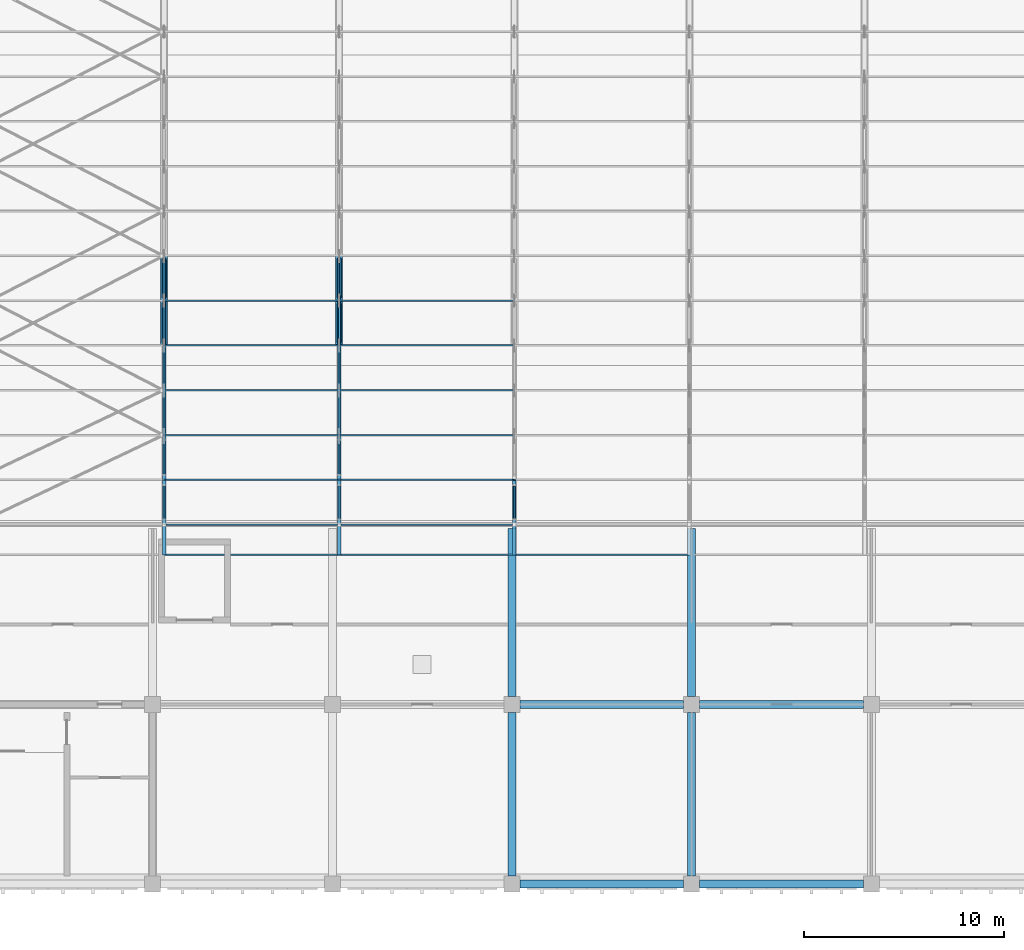
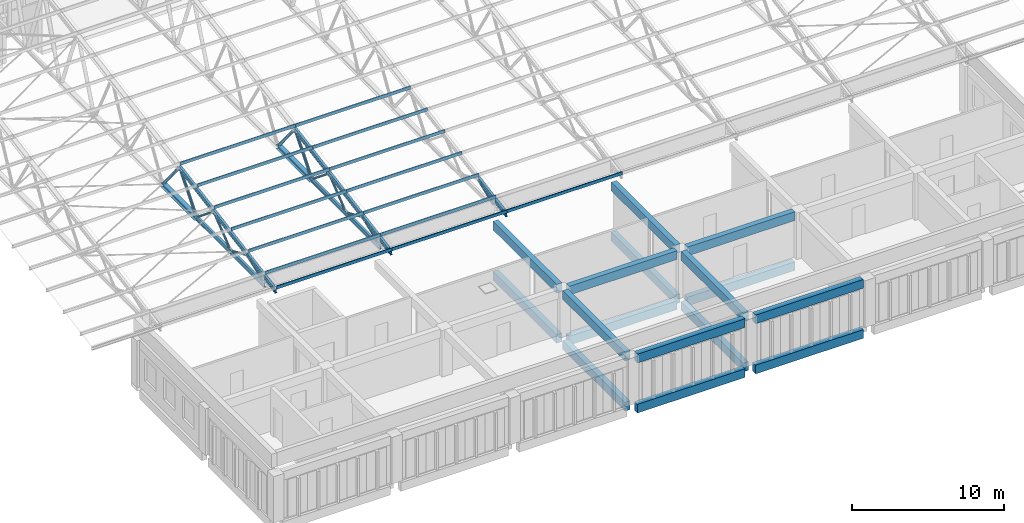
# One storey, part 48 of 185: 44 members, 16 beams.
"""IFC4 building model written with IfcOpenShell, lengths in metres."""

from ifc_helpers import new_model, si_unit, direction, frame, origin, origin_2d, place, context, subcontext, project, spatial, polyline, rectangle, hollow_circle, i_section, outline, extrude, material, material_profile, profile_set, type_object, element, save


model = new_model("IFC4")

# Units and contexts
model_context = context("Model", 3, precision=1e-05, world=origin(), true_north=direction((0.0, 1.0)))
body_context = subcontext(model_context, "Body", "Model", "MODEL_VIEW")
ifc_project = project(units=[si_unit("LENGTHUNIT", "METRE"), si_unit("AREAUNIT", "SQUARE_METRE"), si_unit("VOLUMEUNIT", "CUBIC_METRE"), si_unit("PLANEANGLEUNIT", "RADIAN"), si_unit("MASSUNIT", "GRAM", prefix="KILO")], contexts=[model_context])

# Site, building, storey
site_placement = place(None, origin())
site = spatial("IfcSite", under=ifc_project, at=site_placement, CompositionType="ELEMENT")
building_placement = place(site_placement, origin())
building = spatial("IfcBuilding", under=site, at=building_placement, Name="Opaline Strait Convention Centre", CompositionType="ELEMENT")
storey_placement = place(building_placement, frame((0.0, 0.0, 6.0)))
storey = spatial("IfcBuildingStorey", under=building, at=storey_placement, Name="L01", CompositionType="ELEMENT", Elevation=6.0)

# Beams
ifc_material_1 = material(Name="Concrete C35", Category="concrete")
ifc_material_profile_1 = material_profile(ifc_material_1, rectangle(XDim=0.39990234375, YDim=0.699951171875, at=origin_2d()), Name="RC 400x700")
ifc_profile_set_1 = profile_set([ifc_material_profile_1], Name="Concrete C35")
beam_type = type_object("IfcBeamType", Name="RC girder 400x700 C35", PredefinedType="BEAM", material=ifc_profile_set_1)
for number, where, z_axis, x_axis, name in (
    (1, (315.39990234375, 9.0, -0.6298828125), (1.0, 0.0, 0.0), (0.0, 1.0, 0.0), "BB1 girder 36/B-37/B F"),
    (2, (324.39990234375, 9.0, -0.6298828125), (1.0, 0.0, 0.0), (0.0, 1.0, 0.0), "BB1 girder 37/B-38/B F"),
    (3, (315.39990234375, 18.0, -0.6298828125), (1.0, 0.0, 0.0), (0.0, 1.0, 0.0), "BB1 girder 36/C-37/C F"),
    (4, (324.39990234375, 18.0, -0.6298828125), (1.0, 0.0, 0.0), (0.0, 1.0, 0.0), "BB1 girder 37/C-38/C F"),
    (5, (315.0, 9.39990234375, -0.6298828125), (0.0, 1.0, 0.0), (-1.0, 0.0, 0.0), "BB1 girder 36/B-36/C F"),
):
    element("IfcBeam", number, at=place(storey_placement, frame(where, z_axis=z_axis, x_axis=x_axis)), inside=storey, type_object=beam_type, Name=name, PredefinedType="BEAM", context=body_context, shape_type="SweptSolid", body=[
        extrude(rectangle(XDim=0.39990234375, YDim=0.699951171875, at=origin_2d()), origin(), (0.0, 0.0, 1.0), 8.2001953125),
    ])
beam_1_placement = place(storey_placement, frame((315.0, 18.39990234375, -0.6298828125), z_axis=(0.0, 1.0, 0.0), x_axis=(-1.0, 0.0, 0.0)))
element("IfcBeam", 6, at=beam_1_placement, inside=storey, type_object=beam_type, Name="BB1 girder 36/C-36/D F", PredefinedType="BEAM", context=body_context, shape_type="SweptSolid", body=[
    extrude(rectangle(XDim=0.39990234375, YDim=0.699951171875, at=origin_2d()), origin(), (0.0, 0.0, 1.0), 8.400146484375),
])
beam_2_placement = place(storey_placement, frame((324.0, 9.39990234375, -0.6298828125), z_axis=(0.0, 1.0, 0.0), x_axis=(-1.0, 0.0, 0.0)))
element("IfcBeam", 7, at=beam_2_placement, inside=storey, type_object=beam_type, Name="BB1 girder 37/B-37/C F", PredefinedType="BEAM", context=body_context, shape_type="SweptSolid", body=[
    extrude(rectangle(XDim=0.39990234375, YDim=0.699951171875, at=origin_2d()), origin(), (0.0, 0.0, 1.0), 8.2001953125),
])
beam_3_placement = place(storey_placement, frame((324.0, 18.39990234375, -0.6298828125), z_axis=(0.0, 1.0, 0.0), x_axis=(-1.0, 0.0, 0.0)))
element("IfcBeam", 8, at=beam_3_placement, inside=storey, type_object=beam_type, Name="BB1 girder 37/C-37/D F", PredefinedType="BEAM", context=body_context, shape_type="SweptSolid", body=[
    extrude(rectangle(XDim=0.39990234375, YDim=0.699951171875, at=origin_2d()), origin(), (0.0, 0.0, 1.0), 8.400146484375),
])
for number, where, z_axis, x_axis, name in (
    (9, (315.39990234375, 9.0, 3.39990234375), (1.0, 0.0, 0.0), (0.0, 1.0, 0.0), "BB1 girder 36/B-37/B R"),
    (10, (324.39990234375, 9.0, 3.39990234375), (1.0, 0.0, 0.0), (0.0, 1.0, 0.0), "BB1 girder 37/B-38/B R"),
    (11, (315.39990234375, 18.0, 3.39990234375), (1.0, 0.0, 0.0), (0.0, 1.0, 0.0), "BB1 girder 36/C-37/C R"),
    (12, (324.39990234375, 18.0, 3.39990234375), (1.0, 0.0, 0.0), (0.0, 1.0, 0.0), "BB1 girder 37/C-38/C R"),
    (13, (315.0, 9.39990234375, 3.39990234375), (0.0, 1.0, 0.0), (-1.0, 0.0, 0.0), "BB1 girder 36/B-36/C R"),
):
    element("IfcBeam", number, at=place(storey_placement, frame(where, z_axis=z_axis, x_axis=x_axis)), inside=storey, type_object=beam_type, Name=name, PredefinedType="BEAM", context=body_context, shape_type="SweptSolid", body=[
        extrude(rectangle(XDim=0.39990234375, YDim=0.699951171875, at=origin_2d()), origin(), (0.0, 0.0, 1.0), 8.2001953125),
    ])
beam_4_placement = place(storey_placement, frame((315.0, 18.39990234375, 3.39990234375), z_axis=(0.0, 1.0, 0.0), x_axis=(-1.0, 0.0, 0.0)))
element("IfcBeam", 14, at=beam_4_placement, inside=storey, type_object=beam_type, Name="BB1 girder 36/C-36/D R", PredefinedType="BEAM", context=body_context, shape_type="SweptSolid", body=[
    extrude(rectangle(XDim=0.39990234375, YDim=0.699951171875, at=origin_2d()), origin(), (0.0, 0.0, 1.0), 8.400146484375),
])
beam_5_placement = place(storey_placement, frame((324.0, 9.39990234375, 3.39990234375), z_axis=(0.0, 1.0, 0.0), x_axis=(-1.0, 0.0, 0.0)))
element("IfcBeam", 15, at=beam_5_placement, inside=storey, type_object=beam_type, Name="BB1 girder 37/B-37/C R", PredefinedType="BEAM", context=body_context, shape_type="SweptSolid", body=[
    extrude(rectangle(XDim=0.39990234375, YDim=0.699951171875, at=origin_2d()), origin(), (0.0, 0.0, 1.0), 8.2001953125),
])
beam_6_placement = place(storey_placement, frame((324.0, 18.39990234375, 3.39990234375), z_axis=(0.0, 1.0, 0.0), x_axis=(-1.0, 0.0, 0.0)))
element("IfcBeam", 16, at=beam_6_placement, inside=storey, type_object=beam_type, Name="BB1 girder 37/C-37/D R", PredefinedType="BEAM", context=body_context, shape_type="SweptSolid", body=[
    extrude(rectangle(XDim=0.39990234375, YDim=0.699951171875, at=origin_2d()), origin(), (0.0, 0.0, 1.0), 8.400146484375),
])

# Members
ifc_material_2 = material(Name="Steel Q355B", Category="steel")
ifc_material_profile_2 = material_profile(ifc_material_2, outline(polyline([(-0.03759765625, -0.125), (0.03759765625, -0.125), (0.03759765625, -0.10498046875), (0.034423828125, -0.10498046875), (0.034423828125, -0.1220703125), (-0.034423828125, -0.1220703125), (-0.034423828125, 0.1220703125), (0.034423828125, 0.1220703125), (0.034423828125, 0.10498046875), (0.03759765625, 0.10498046875), (0.03759765625, 0.125), (-0.03759765625, 0.125), (-0.03759765625, -0.125)])), Name="C 250x75x20x3")
ifc_profile_set_2 = profile_set([ifc_material_profile_2], Name="Steel Q355B")
member_type_1 = type_object("IfcMemberType", Name="Roof purlin C 250x75x20x3", PredefinedType="RAFTER", material=ifc_profile_set_2)
member_1_placement = place(storey_placement, frame((297.5712890625, 25.5, 5.24609375), z_axis=(1.0, 0.0, 0.0), x_axis=(0.0, 1.0, 0.0)))
element("IfcMember", 17, at=member_1_placement, inside=storey, type_object=member_type_1, Name="BU1 purlin line 1 bay 3", PredefinedType="RAFTER", context=body_context, shape_type="SweptSolid", body=[
    extrude(outline(polyline([(-0.03759765625, -0.125), (0.03759765625, -0.125), (0.03759765625, -0.10498046875), (0.034423828125, -0.10498046875), (0.034423828125, -0.1220703125), (-0.034423828125, -0.1220703125), (-0.034423828125, 0.1220703125), (0.034423828125, 0.1220703125), (0.034423828125, 0.10498046875), (0.03759765625, 0.10498046875), (0.03759765625, 0.125), (-0.03759765625, 0.125), (-0.03759765625, -0.125)])), origin(), (0.0, 0.0, 1.0), 8.771728515625),
])
member_2_placement = place(storey_placement, frame((306.343017578125, 25.5, 5.24609375), z_axis=(1.0, 0.0, 0.0), x_axis=(0.0, 1.0, 0.0)))
element("IfcMember", 18, at=member_2_placement, inside=storey, type_object=member_type_1, Name="BU1 purlin line 1 bay 4", PredefinedType="RAFTER", context=body_context, shape_type="SweptSolid", body=[
    extrude(outline(polyline([(-0.03759765625, -0.125), (0.03759765625, -0.125), (0.03759765625, -0.10498046875), (0.034423828125, -0.10498046875), (0.034423828125, -0.1220703125), (-0.034423828125, -0.1220703125), (-0.034423828125, 0.1220703125), (0.034423828125, 0.1220703125), (0.034423828125, 0.10498046875), (0.03759765625, 0.10498046875), (0.03759765625, 0.125), (-0.03759765625, 0.125), (-0.03759765625, -0.125)])), origin(), (0.0, 0.0, 1.0), 8.771240234375),
])
member_3_placement = place(storey_placement, frame((315.1142578125, 25.5, 5.24609375), z_axis=(1.0, 0.0, 0.0), x_axis=(0.0, 1.0, 0.0)))
element("IfcMember", 19, at=member_3_placement, inside=storey, type_object=member_type_1, Name="BU1 purlin line 1 bay 5", PredefinedType="RAFTER", context=body_context, shape_type="SweptSolid", body=[
    extrude(outline(polyline([(-0.03759765625, -0.125), (0.03759765625, -0.125), (0.03759765625, -0.10498046875), (0.034423828125, -0.10498046875), (0.034423828125, -0.1220703125), (-0.034423828125, -0.1220703125), (-0.034423828125, 0.1220703125), (0.034423828125, 0.1220703125), (0.034423828125, 0.10498046875), (0.03759765625, 0.10498046875), (0.03759765625, 0.125), (-0.03759765625, 0.125), (-0.03759765625, -0.125)])), origin(), (0.0, 0.0, 1.0), 8.771484375),
])
member_4_placement = place(storey_placement, frame((297.5712890625, 27.0, 5.510498046875), z_axis=(1.0, 0.0, 0.0), x_axis=(0.0, 1.0, 0.0)))
element("IfcMember", 20, at=member_4_placement, inside=storey, type_object=member_type_1, Name="BU1 purlin line 2 bay 3", PredefinedType="RAFTER", context=body_context, shape_type="SweptSolid", body=[
    extrude(outline(polyline([(-0.03759765625, -0.125), (0.03759765625, -0.125), (0.03759765625, -0.10498046875), (0.034423828125, -0.10498046875), (0.034423828125, -0.1220703125), (-0.034423828125, -0.1220703125), (-0.034423828125, 0.1220703125), (0.034423828125, 0.1220703125), (0.034423828125, 0.10498046875), (0.03759765625, 0.10498046875), (0.03759765625, 0.125), (-0.03759765625, 0.125), (-0.03759765625, -0.125)])), origin(), (0.0, 0.0, 1.0), 8.771728515625),
])
member_5_placement = place(storey_placement, frame((306.343017578125, 27.0, 5.510498046875), z_axis=(1.0, 0.0, 0.0), x_axis=(0.0, 1.0, 0.0)))
element("IfcMember", 21, at=member_5_placement, inside=storey, type_object=member_type_1, Name="BU1 purlin line 2 bay 4", PredefinedType="RAFTER", context=body_context, shape_type="SweptSolid", body=[
    extrude(outline(polyline([(-0.03759765625, -0.125), (0.03759765625, -0.125), (0.03759765625, -0.10498046875), (0.034423828125, -0.10498046875), (0.034423828125, -0.1220703125), (-0.034423828125, -0.1220703125), (-0.034423828125, 0.1220703125), (0.034423828125, 0.1220703125), (0.034423828125, 0.10498046875), (0.03759765625, 0.10498046875), (0.03759765625, 0.125), (-0.03759765625, 0.125), (-0.03759765625, -0.125)])), origin(), (0.0, 0.0, 1.0), 8.771240234375),
])
member_6_placement = place(storey_placement, frame((297.5712890625, 29.24365234375, 5.90625), z_axis=(1.0, 0.0, 0.0), x_axis=(0.0, 1.0, 0.0)))
element("IfcMember", 22, at=member_6_placement, inside=storey, type_object=member_type_1, Name="BU1 purlin line 3 bay 3", PredefinedType="RAFTER", context=body_context, shape_type="SweptSolid", body=[
    extrude(outline(polyline([(-0.03759765625, -0.125), (0.03759765625, -0.125), (0.03759765625, -0.10498046875), (0.034423828125, -0.10498046875), (0.034423828125, -0.1220703125), (-0.034423828125, -0.1220703125), (-0.034423828125, 0.1220703125), (0.034423828125, 0.1220703125), (0.034423828125, 0.10498046875), (0.03759765625, 0.10498046875), (0.03759765625, 0.125), (-0.03759765625, 0.125), (-0.03759765625, -0.125)])), origin(), (0.0, 0.0, 1.0), 8.771728515625),
])
member_7_placement = place(storey_placement, frame((306.343017578125, 29.24365234375, 5.90625), z_axis=(1.0, 0.0, 0.0), x_axis=(0.0, 1.0, 0.0)))
element("IfcMember", 23, at=member_7_placement, inside=storey, type_object=member_type_1, Name="BU1 purlin line 3 bay 4", PredefinedType="RAFTER", context=body_context, shape_type="SweptSolid", body=[
    extrude(outline(polyline([(-0.03759765625, -0.125), (0.03759765625, -0.125), (0.03759765625, -0.10498046875), (0.034423828125, -0.10498046875), (0.034423828125, -0.1220703125), (-0.034423828125, -0.1220703125), (-0.034423828125, 0.1220703125), (0.034423828125, 0.1220703125), (0.034423828125, 0.10498046875), (0.03759765625, 0.10498046875), (0.03759765625, 0.125), (-0.03759765625, 0.125), (-0.03759765625, -0.125)])), origin(), (0.0, 0.0, 1.0), 8.771240234375),
])
member_8_placement = place(storey_placement, frame((297.5712890625, 31.487548828125, 6.3017578125), z_axis=(1.0, 0.0, 0.0), x_axis=(0.0, 1.0, 0.0)))
element("IfcMember", 24, at=member_8_placement, inside=storey, type_object=member_type_1, Name="BU1 purlin line 4 bay 3", PredefinedType="RAFTER", context=body_context, shape_type="SweptSolid", body=[
    extrude(outline(polyline([(-0.03759765625, -0.125), (0.03759765625, -0.125), (0.03759765625, -0.10498046875), (0.034423828125, -0.10498046875), (0.034423828125, -0.1220703125), (-0.034423828125, -0.1220703125), (-0.034423828125, 0.1220703125), (0.034423828125, 0.1220703125), (0.034423828125, 0.10498046875), (0.03759765625, 0.10498046875), (0.03759765625, 0.125), (-0.03759765625, 0.125), (-0.03759765625, -0.125)])), origin(), (0.0, 0.0, 1.0), 8.771728515625),
])
member_9_placement = place(storey_placement, frame((306.343017578125, 31.487548828125, 6.3017578125), z_axis=(1.0, 0.0, 0.0), x_axis=(0.0, 1.0, 0.0)))
element("IfcMember", 25, at=member_9_placement, inside=storey, type_object=member_type_1, Name="BU1 purlin line 4 bay 4", PredefinedType="RAFTER", context=body_context, shape_type="SweptSolid", body=[
    extrude(outline(polyline([(-0.03759765625, -0.125), (0.03759765625, -0.125), (0.03759765625, -0.10498046875), (0.034423828125, -0.10498046875), (0.034423828125, -0.1220703125), (-0.034423828125, -0.1220703125), (-0.034423828125, 0.1220703125), (0.034423828125, 0.1220703125), (0.034423828125, 0.10498046875), (0.03759765625, 0.10498046875), (0.03759765625, 0.125), (-0.03759765625, 0.125), (-0.03759765625, -0.125)])), origin(), (0.0, 0.0, 1.0), 8.771240234375),
])
member_10_placement = place(storey_placement, frame((297.5712890625, 33.731201171875, 6.697509765625), z_axis=(1.0, 0.0, 0.0), x_axis=(0.0, 1.0, 0.0)))
element("IfcMember", 26, at=member_10_placement, inside=storey, type_object=member_type_1, Name="BU1 purlin line 5 bay 3", PredefinedType="RAFTER", context=body_context, shape_type="SweptSolid", body=[
    extrude(outline(polyline([(-0.03759765625, -0.125), (0.03759765625, -0.125), (0.03759765625, -0.10498046875), (0.034423828125, -0.10498046875), (0.034423828125, -0.1220703125), (-0.034423828125, -0.1220703125), (-0.034423828125, 0.1220703125), (0.034423828125, 0.1220703125), (0.034423828125, 0.10498046875), (0.03759765625, 0.10498046875), (0.03759765625, 0.125), (-0.03759765625, 0.125), (-0.03759765625, -0.125)])), origin(), (0.0, 0.0, 1.0), 8.771728515625),
])
member_11_placement = place(storey_placement, frame((306.343017578125, 33.731201171875, 6.697509765625), z_axis=(1.0, 0.0, 0.0), x_axis=(0.0, 1.0, 0.0)))
element("IfcMember", 27, at=member_11_placement, inside=storey, type_object=member_type_1, Name="BU1 purlin line 5 bay 4", PredefinedType="RAFTER", context=body_context, shape_type="SweptSolid", body=[
    extrude(outline(polyline([(-0.03759765625, -0.125), (0.03759765625, -0.125), (0.03759765625, -0.10498046875), (0.034423828125, -0.10498046875), (0.034423828125, -0.1220703125), (-0.034423828125, -0.1220703125), (-0.034423828125, 0.1220703125), (0.034423828125, 0.1220703125), (0.034423828125, 0.10498046875), (0.03759765625, 0.10498046875), (0.03759765625, 0.125), (-0.03759765625, 0.125), (-0.03759765625, -0.125)])), origin(), (0.0, 0.0, 1.0), 8.771240234375),
])
member_12_placement = place(storey_placement, frame((297.5712890625, 35.97509765625, 7.093017578125), z_axis=(1.0, 0.0, 0.0), x_axis=(0.0, 1.0, 0.0)))
element("IfcMember", 28, at=member_12_placement, inside=storey, type_object=member_type_1, Name="BU1 purlin line 6 bay 3", PredefinedType="RAFTER", context=body_context, shape_type="SweptSolid", body=[
    extrude(outline(polyline([(-0.03759765625, -0.125), (0.03759765625, -0.125), (0.03759765625, -0.10498046875), (0.034423828125, -0.10498046875), (0.034423828125, -0.1220703125), (-0.034423828125, -0.1220703125), (-0.034423828125, 0.1220703125), (0.034423828125, 0.1220703125), (0.034423828125, 0.10498046875), (0.03759765625, 0.10498046875), (0.03759765625, 0.125), (-0.03759765625, 0.125), (-0.03759765625, -0.125)])), origin(), (0.0, 0.0, 1.0), 8.771728515625),
])
member_13_placement = place(storey_placement, frame((306.343017578125, 35.97509765625, 7.093017578125), z_axis=(1.0, 0.0, 0.0), x_axis=(0.0, 1.0, 0.0)))
element("IfcMember", 29, at=member_13_placement, inside=storey, type_object=member_type_1, Name="BU1 purlin line 6 bay 4", PredefinedType="RAFTER", context=body_context, shape_type="SweptSolid", body=[
    extrude(outline(polyline([(-0.03759765625, -0.125), (0.03759765625, -0.125), (0.03759765625, -0.10498046875), (0.034423828125, -0.10498046875), (0.034423828125, -0.1220703125), (-0.034423828125, -0.1220703125), (-0.034423828125, 0.1220703125), (0.034423828125, 0.1220703125), (0.034423828125, 0.10498046875), (0.03759765625, 0.10498046875), (0.03759765625, 0.125), (-0.03759765625, 0.125), (-0.03759765625, -0.125)])), origin(), (0.0, 0.0, 1.0), 8.771240234375),
])
member_14_placement = place(storey_placement, frame((297.5712890625, 38.21875, 7.48876953125), z_axis=(1.0, 0.0, 0.0), x_axis=(0.0, 1.0, 0.0)))
element("IfcMember", 30, at=member_14_placement, inside=storey, type_object=member_type_1, Name="BU1 purlin line 7 bay 3", PredefinedType="RAFTER", context=body_context, shape_type="SweptSolid", body=[
    extrude(outline(polyline([(-0.03759765625, -0.125), (0.03759765625, -0.125), (0.03759765625, -0.10498046875), (0.034423828125, -0.10498046875), (0.034423828125, -0.1220703125), (-0.034423828125, -0.1220703125), (-0.034423828125, 0.1220703125), (0.034423828125, 0.1220703125), (0.034423828125, 0.10498046875), (0.03759765625, 0.10498046875), (0.03759765625, 0.125), (-0.03759765625, 0.125), (-0.03759765625, -0.125)])), origin(), (0.0, 0.0, 1.0), 8.771728515625),
])
member_15_placement = place(storey_placement, frame((306.343017578125, 38.21875, 7.48876953125), z_axis=(1.0, 0.0, 0.0), x_axis=(0.0, 1.0, 0.0)))
element("IfcMember", 31, at=member_15_placement, inside=storey, type_object=member_type_1, Name="BU1 purlin line 7 bay 4", PredefinedType="RAFTER", context=body_context, shape_type="SweptSolid", body=[
    extrude(outline(polyline([(-0.03759765625, -0.125), (0.03759765625, -0.125), (0.03759765625, -0.10498046875), (0.034423828125, -0.10498046875), (0.034423828125, -0.1220703125), (-0.034423828125, -0.1220703125), (-0.034423828125, 0.1220703125), (0.034423828125, 0.1220703125), (0.034423828125, 0.10498046875), (0.03759765625, 0.10498046875), (0.03759765625, 0.125), (-0.03759765625, 0.125), (-0.03759765625, -0.125)])), origin(), (0.0, 0.0, 1.0), 8.771240234375),
])
ifc_material_profile_3 = material_profile(ifc_material_2, i_section(OverallWidth=0.175048828125, OverallDepth=0.35009765625, WebThickness=0.007080078125, FlangeThickness=0.010986328125, FilletRadius=0.012939453125, at=origin_2d()), Name="HN 350x175x7x11")
ifc_profile_set_3 = profile_set([ifc_material_profile_3], Name="Steel Q355B")
member_type_2 = type_object("IfcMemberType", Name="Truss bottom chord HN 350x175x7x11", PredefinedType="CHORD", material=ifc_profile_set_3)
for number, where, z_axis, x_axis, name in (
    (32, (297.5712890625, 27.0, 4.5), (0.0, 1.0, 0.0), (-1.0, 0.0, 0.0), "BT2 bottom chord line 2 panel 1"),
    (33, (297.5712890625, 31.487548828125, 4.5), (0.0, 1.0, 0.0), (-1.0, 0.0, 0.0), "BT2 bottom chord line 2 panel 2"),
    (34, (306.343017578125, 27.0, 4.5), (0.0, 1.0, 0.0), (-1.0, 0.0, 0.0), "BT2 bottom chord line 3 panel 1"),
    (35, (306.343017578125, 31.487548828125, 4.5), (0.0, 1.0, 0.0), (-1.0, 0.0, 0.0), "BT2 bottom chord line 3 panel 2"),
):
    element("IfcMember", number, at=place(storey_placement, frame(where, z_axis=z_axis, x_axis=x_axis)), inside=storey, type_object=member_type_2, Name=name, PredefinedType="CHORD", context=body_context, shape_type="SweptSolid", body=[
        extrude(i_section(OverallWidth=0.175048828125, OverallDepth=0.35009765625, WebThickness=0.007080078125, FlangeThickness=0.010986328125, FilletRadius=0.012939453125, at=origin_2d()), origin(), (0.0, 0.0, 1.0), 4.487548828125),
    ])
ifc_material_profile_4 = material_profile(ifc_material_2, i_section(OverallWidth=0.35009765625, OverallDepth=0.35009765625, WebThickness=0.011962890625, FlangeThickness=0.01904296875, FilletRadius=0.012939453125, at=origin_2d()), Name="HW 350x350x12x19")
ifc_profile_set_4 = profile_set([ifc_material_profile_4], Name="Steel Q355B")
member_type_3 = type_object("IfcMemberType", Name="Truss bottom chord HW 350x350x12x19", PredefinedType="CHORD", material=ifc_profile_set_4)
for number, where, z_axis, x_axis, name in (
    (36, (297.5712890625, 35.97509765625, 4.5), (0.0, 1.0, 0.0), (-1.0, 0.0, 0.0), "BT4 bottom chord line 2 panel 3"),
    (37, (306.343017578125, 35.97509765625, 4.5), (0.0, 1.0, 0.0), (-1.0, 0.0, 0.0), "BT4 bottom chord line 3 panel 3"),
):
    element("IfcMember", number, at=place(storey_placement, frame(where, z_axis=z_axis, x_axis=x_axis)), inside=storey, type_object=member_type_3, Name=name, PredefinedType="CHORD", context=body_context, shape_type="SweptSolid", body=[
        extrude(i_section(OverallWidth=0.35009765625, OverallDepth=0.35009765625, WebThickness=0.011962890625, FlangeThickness=0.01904296875, FilletRadius=0.012939453125, at=origin_2d()), origin(), (0.0, 0.0, 1.0), 4.4873046875),
    ])
ifc_material_profile_5 = material_profile(ifc_material_2, i_section(OverallWidth=0.175048828125, OverallDepth=0.35009765625, WebThickness=0.007080078125, FlangeThickness=0.010986328125, FilletRadius=0.012939453125, at=origin_2d()), Name="HN 350x175x7x11")
ifc_profile_set_5 = profile_set([ifc_material_profile_5], Name="Steel Q355B")
member_type_4 = type_object("IfcMemberType", Name="Truss top chord HN 350x175x7x11", PredefinedType="CHORD", material=ifc_profile_set_5)
member_16_placement = place(storey_placement, frame((297.5712890625, 25.5, 4.935546875), z_axis=(0.0, 0.984817426759, 0.173593306182), x_axis=(-1.0, 0.0, 0.0)))
element("IfcMember", 38, at=member_16_placement, inside=storey, type_object=member_type_4, Name="BT1 top chord line 2 panel 1", PredefinedType="CHORD", context=body_context, shape_type="SweptSolid", body=[
    extrude(i_section(OverallWidth=0.175048828125, OverallDepth=0.35009765625, WebThickness=0.007080078125, FlangeThickness=0.010986328125, FilletRadius=0.012939453125, at=origin_2d()), origin(), (0.0, 0.0, 1.0), 1.523193359375),
])
member_17_placement = place(storey_placement, frame((297.5712890625, 27.0, 5.199951171875), z_axis=(0.0, 0.984797579866, 0.173705862564), x_axis=(-1.0, 0.0, 0.0)))
element("IfcMember", 39, at=member_17_placement, inside=storey, type_object=member_type_4, Name="BT1 top chord line 2 panel 2", PredefinedType="CHORD", context=body_context, shape_type="SweptSolid", body=[
    extrude(i_section(OverallWidth=0.175048828125, OverallDepth=0.35009765625, WebThickness=0.007080078125, FlangeThickness=0.010986328125, FilletRadius=0.012939453125, at=origin_2d()), origin(), (0.0, 0.0, 1.0), 2.2783203125),
])
for number, where, z_axis, x_axis, name in (
    (40, (297.5712890625, 29.24365234375, 5.595703125), (0.0, 0.984808359847, 0.173644736101), (-1.0, 0.0, 0.0), "BT1 top chord line 2 panel 3"),
    (41, (297.5712890625, 33.731201171875, 6.386962890625), (0.0, 0.984808359847, 0.173644736101), (-1.0, 0.0, 0.0), "BT1 top chord line 2 panel 4"),
):
    element("IfcMember", number, at=place(storey_placement, frame(where, z_axis=z_axis, x_axis=x_axis)), inside=storey, type_object=member_type_4, Name=name, PredefinedType="CHORD", context=body_context, shape_type="SweptSolid", body=[
        extrude(i_section(OverallWidth=0.175048828125, OverallDepth=0.35009765625, WebThickness=0.007080078125, FlangeThickness=0.010986328125, FilletRadius=0.012939453125, at=origin_2d()), origin(), (0.0, 0.0, 1.0), 4.556884765625),
    ])
member_18_placement = place(storey_placement, frame((306.343017578125, 25.5, 4.935546875), z_axis=(0.0, 0.984817426759, 0.173593306182), x_axis=(-1.0, 0.0, 0.0)))
element("IfcMember", 42, at=member_18_placement, inside=storey, type_object=member_type_4, Name="BT1 top chord line 3 panel 1", PredefinedType="CHORD", context=body_context, shape_type="SweptSolid", body=[
    extrude(i_section(OverallWidth=0.175048828125, OverallDepth=0.35009765625, WebThickness=0.007080078125, FlangeThickness=0.010986328125, FilletRadius=0.012939453125, at=origin_2d()), origin(), (0.0, 0.0, 1.0), 1.523193359375),
])
member_19_placement = place(storey_placement, frame((306.343017578125, 27.0, 5.199951171875), z_axis=(0.0, 0.984797579866, 0.173705862564), x_axis=(-1.0, 0.0, 0.0)))
element("IfcMember", 43, at=member_19_placement, inside=storey, type_object=member_type_4, Name="BT1 top chord line 3 panel 2", PredefinedType="CHORD", context=body_context, shape_type="SweptSolid", body=[
    extrude(i_section(OverallWidth=0.175048828125, OverallDepth=0.35009765625, WebThickness=0.007080078125, FlangeThickness=0.010986328125, FilletRadius=0.012939453125, at=origin_2d()), origin(), (0.0, 0.0, 1.0), 2.2783203125),
])
for number, where, z_axis, x_axis, name in (
    (44, (306.343017578125, 29.24365234375, 5.595703125), (0.0, 0.984808359847, 0.173644736101), (-1.0, 0.0, 0.0), "BT1 top chord line 3 panel 3"),
    (45, (306.343017578125, 33.731201171875, 6.386962890625), (0.0, 0.984808359847, 0.173644736101), (-1.0, 0.0, 0.0), "BT1 top chord line 3 panel 4"),
):
    element("IfcMember", number, at=place(storey_placement, frame(where, z_axis=z_axis, x_axis=x_axis)), inside=storey, type_object=member_type_4, Name=name, PredefinedType="CHORD", context=body_context, shape_type="SweptSolid", body=[
        extrude(i_section(OverallWidth=0.175048828125, OverallDepth=0.35009765625, WebThickness=0.007080078125, FlangeThickness=0.010986328125, FilletRadius=0.012939453125, at=origin_2d()), origin(), (0.0, 0.0, 1.0), 4.556884765625),
    ])
member_20_placement = place(storey_placement, frame((315.1142578125, 25.5, 4.935546875), z_axis=(0.0, 0.984817426759, 0.173593306182), x_axis=(-1.0, 0.0, 0.0)))
element("IfcMember", 46, at=member_20_placement, inside=storey, type_object=member_type_4, Name="BT1 top chord line 4 panel 1", PredefinedType="CHORD", context=body_context, shape_type="SweptSolid", body=[
    extrude(i_section(OverallWidth=0.175048828125, OverallDepth=0.35009765625, WebThickness=0.007080078125, FlangeThickness=0.010986328125, FilletRadius=0.012939453125, at=origin_2d()), origin(), (0.0, 0.0, 1.0), 1.523193359375),
])
member_21_placement = place(storey_placement, frame((315.1142578125, 27.0, 5.199951171875), z_axis=(0.0, 0.984797579866, 0.173705862564), x_axis=(-1.0, 0.0, 0.0)))
element("IfcMember", 47, at=member_21_placement, inside=storey, type_object=member_type_4, Name="BT1 top chord line 4 panel 2", PredefinedType="CHORD", context=body_context, shape_type="SweptSolid", body=[
    extrude(i_section(OverallWidth=0.175048828125, OverallDepth=0.35009765625, WebThickness=0.007080078125, FlangeThickness=0.010986328125, FilletRadius=0.012939453125, at=origin_2d()), origin(), (0.0, 0.0, 1.0), 2.2783203125),
])
ifc_material_profile_6 = material_profile(ifc_material_2, hollow_circle(Radius=0.083984375, WallThickness=0.008056640625, at=origin_2d()), Name="CHS 168x8")
ifc_profile_set_6 = profile_set([ifc_material_profile_6], Name="Steel Q355B")
member_type_5 = type_object("IfcMemberType", Name="Truss web CHS 168x8", PredefinedType="BRACE", material=ifc_profile_set_6)
member_22_placement = place(storey_placement, frame((297.5712890625, 27.26611328125, 4.683349609375), z_axis=(0.0, 0.929133288935, 0.369744954519), x_axis=(-1.0, 0.0, 0.0)))
element("IfcMember", 48, at=member_22_placement, inside=storey, type_object=member_type_5, Name="BW2 web line 2 member 1", PredefinedType="BRACE", context=body_context, shape_type="SweptSolid", body=[
    extrude(hollow_circle(Radius=0.083984375, WallThickness=0.008056640625, at=origin_2d()), origin(), (0.0, 0.0, 1.0), 1.84228515625),
])
member_23_placement = place(storey_placement, frame((297.5712890625, 31.239501953125, 4.683837890625), z_axis=(0.0, -0.915689956093, 0.401885436799), x_axis=(1.0, 0.0, 0.0)))
element("IfcMember", 49, at=member_23_placement, inside=storey, type_object=member_type_5, Name="BW2 web line 2 member 2", PredefinedType="BRACE", context=body_context, shape_type="SweptSolid", body=[
    extrude(hollow_circle(Radius=0.083984375, WallThickness=0.008056640625, at=origin_2d()), origin(), (0.0, 0.0, 1.0), 1.90869140625),
])
member_24_placement = place(storey_placement, frame((297.5712890625, 31.6533203125, 4.678955078125), z_axis=(0.0, 0.787377696888, 0.616470893427), x_axis=(-1.0, 0.0, 0.0)))
element("IfcMember", 50, at=member_24_placement, inside=storey, type_object=member_type_5, Name="BW2 web line 2 member 3", PredefinedType="BRACE", context=body_context, shape_type="SweptSolid", body=[
    extrude(hollow_circle(Radius=0.083984375, WallThickness=0.008056640625, at=origin_2d()), origin(), (0.0, 0.0, 1.0), 2.428466796875),
])
member_25_placement = place(storey_placement, frame((297.5712890625, 35.81201171875, 4.678955078125), z_axis=(0.0, -0.776751826375, 0.629806795949), x_axis=(1.0, 0.0, 0.0)))
element("IfcMember", 51, at=member_25_placement, inside=storey, type_object=member_type_5, Name="BW2 web line 2 member 4", PredefinedType="BRACE", context=body_context, shape_type="SweptSolid", body=[
    extrude(hollow_circle(Radius=0.083984375, WallThickness=0.008056640625, at=origin_2d()), origin(), (0.0, 0.0, 1.0), 2.468994140625),
])
member_26_placement = place(storey_placement, frame((306.343017578125, 27.26611328125, 4.683349609375), z_axis=(0.0, 0.929133288935, 0.369744954519), x_axis=(-1.0, 0.0, 0.0)))
element("IfcMember", 52, at=member_26_placement, inside=storey, type_object=member_type_5, Name="BW2 web line 3 member 1", PredefinedType="BRACE", context=body_context, shape_type="SweptSolid", body=[
    extrude(hollow_circle(Radius=0.083984375, WallThickness=0.008056640625, at=origin_2d()), origin(), (0.0, 0.0, 1.0), 1.84228515625),
])
member_27_placement = place(storey_placement, frame((306.343017578125, 31.239501953125, 4.683837890625), z_axis=(0.0, -0.915689956093, 0.401885436799), x_axis=(1.0, 0.0, 0.0)))
element("IfcMember", 53, at=member_27_placement, inside=storey, type_object=member_type_5, Name="BW2 web line 3 member 2", PredefinedType="BRACE", context=body_context, shape_type="SweptSolid", body=[
    extrude(hollow_circle(Radius=0.083984375, WallThickness=0.008056640625, at=origin_2d()), origin(), (0.0, 0.0, 1.0), 1.90869140625),
])
member_28_placement = place(storey_placement, frame((306.343017578125, 31.6533203125, 4.678955078125), z_axis=(0.0, 0.787377696888, 0.616470893427), x_axis=(-1.0, 0.0, 0.0)))
element("IfcMember", 54, at=member_28_placement, inside=storey, type_object=member_type_5, Name="BW2 web line 3 member 3", PredefinedType="BRACE", context=body_context, shape_type="SweptSolid", body=[
    extrude(hollow_circle(Radius=0.083984375, WallThickness=0.008056640625, at=origin_2d()), origin(), (0.0, 0.0, 1.0), 2.428466796875),
])
member_29_placement = place(storey_placement, frame((306.343017578125, 35.81201171875, 4.678955078125), z_axis=(0.0, -0.776751826375, 0.629806795949), x_axis=(1.0, 0.0, 0.0)))
element("IfcMember", 55, at=member_29_placement, inside=storey, type_object=member_type_5, Name="BW2 web line 3 member 4", PredefinedType="BRACE", context=body_context, shape_type="SweptSolid", body=[
    extrude(hollow_circle(Radius=0.083984375, WallThickness=0.008056640625, at=origin_2d()), origin(), (0.0, 0.0, 1.0), 2.468994140625),
])
member_30_placement = place(storey_placement, frame((315.1142578125, 27.26611328125, 4.683349609375), z_axis=(0.0, 0.929133288935, 0.369744954519), x_axis=(-1.0, 0.0, 0.0)))
element("IfcMember", 56, at=member_30_placement, inside=storey, type_object=member_type_5, Name="BW2 web line 4 member 1", PredefinedType="BRACE", context=body_context, shape_type="SweptSolid", body=[
    extrude(hollow_circle(Radius=0.083984375, WallThickness=0.008056640625, at=origin_2d()), origin(), (0.0, 0.0, 1.0), 1.84228515625),
])
ifc_material_profile_7 = material_profile(ifc_material_2, hollow_circle(Radius=0.109619140625, WallThickness=0.010009765625, at=origin_2d()), Name="CHS 219x10")
ifc_profile_set_7 = profile_set([ifc_material_profile_7], Name="Steel Q355B")
member_type_6 = type_object("IfcMemberType", Name="Truss web CHS 219x10", PredefinedType="BRACE", material=ifc_profile_set_7)
member_31_placement = place(storey_placement, frame((297.5712890625, 36.147216796875, 4.678955078125), z_axis=(0.0, 0.638891118457, 0.769297171941), x_axis=(-1.0, 0.0, 0.0)))
element("IfcMember", 57, at=member_31_placement, inside=storey, type_object=member_type_6, Name="BW3 web line 2 member 5", PredefinedType="BRACE", context=body_context, shape_type="SweptSolid", body=[
    extrude(hollow_circle(Radius=0.109619140625, WallThickness=0.010009765625, at=origin_2d()), origin(), (0.0, 0.0, 1.0), 2.972900390625),
])
member_32_placement = place(storey_placement, frame((297.5712890625, 40.291748046875, 4.678955078125), z_axis=(0.0, -0.629570044101, 0.77694372999), x_axis=(1.0, 0.0, 0.0)))
element("IfcMember", 58, at=member_32_placement, inside=storey, type_object=member_type_6, Name="BW3 web line 2 member 6", PredefinedType="BRACE", context=body_context, shape_type="SweptSolid", body=[
    extrude(hollow_circle(Radius=0.109619140625, WallThickness=0.010009765625, at=origin_2d()), origin(), (0.0, 0.0, 1.0), 3.021728515625),
])
member_33_placement = place(storey_placement, frame((306.343017578125, 36.147216796875, 4.678955078125), z_axis=(0.0, 0.638891118457, 0.769297171941), x_axis=(-1.0, 0.0, 0.0)))
element("IfcMember", 59, at=member_33_placement, inside=storey, type_object=member_type_6, Name="BW3 web line 3 member 5", PredefinedType="BRACE", context=body_context, shape_type="SweptSolid", body=[
    extrude(hollow_circle(Radius=0.109619140625, WallThickness=0.010009765625, at=origin_2d()), origin(), (0.0, 0.0, 1.0), 2.972900390625),
])
member_34_placement = place(storey_placement, frame((306.343017578125, 40.291748046875, 4.678955078125), z_axis=(0.0, -0.629570044101, 0.77694372999), x_axis=(1.0, 0.0, 0.0)))
element("IfcMember", 60, at=member_34_placement, inside=storey, type_object=member_type_6, Name="BW3 web line 3 member 6", PredefinedType="BRACE", context=body_context, shape_type="SweptSolid", body=[
    extrude(hollow_circle(Radius=0.109619140625, WallThickness=0.010009765625, at=origin_2d()), origin(), (0.0, 0.0, 1.0), 3.021728515625),
])

save(model, "model.ifc")
